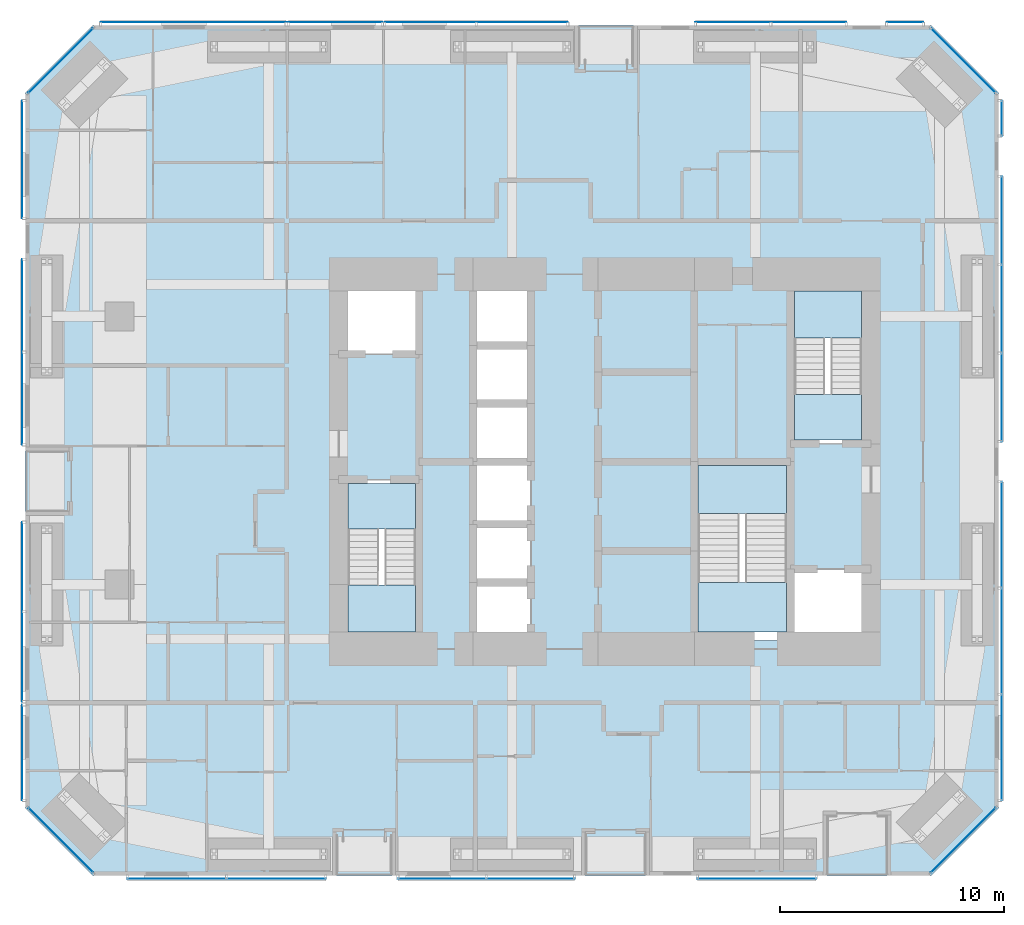
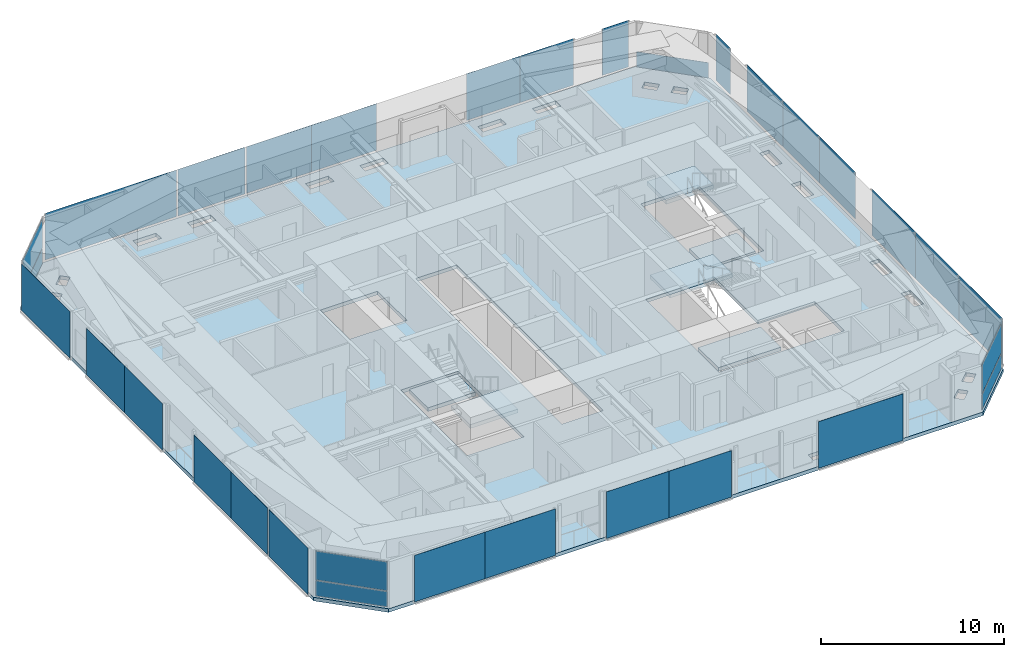
# One storey, part 15 of 23: 32 plates, 7 slabs, 22 elements without a shape of their own.
"""IFC4 building model written with IfcOpenShell, lengths in metres."""

from ifc_helpers import new_model, si_unit, direction, frame, origin, origin_2d, place, context, subcontext, project, spatial, polyline, rectangle, outline, extrude, material, layer, layer_set, type_object, element, aggregate, save


model = new_model("IFC4")

# Units and contexts
model_context = context("Model", 3, precision=1e-05, world=origin(), true_north=direction((0.0, 1.0)))
body_context = subcontext(model_context, "Body", "Model", "MODEL_VIEW")
ifc_project = project(units=[si_unit("LENGTHUNIT", "METRE"), si_unit("AREAUNIT", "SQUARE_METRE"), si_unit("VOLUMEUNIT", "CUBIC_METRE"), si_unit("PLANEANGLEUNIT", "RADIAN"), si_unit("MASSUNIT", "GRAM", prefix="KILO")], contexts=[model_context])

# Site, building, storey
site_placement = place(None, origin())
site = spatial("IfcSite", under=ifc_project, at=site_placement, CompositionType="ELEMENT")
building_placement = place(site_placement, origin())
building = spatial("IfcBuilding", under=site, at=building_placement, Name="Jalousie Tower", CompositionType="ELEMENT")
storey_placement = place(building_placement, frame((0.0, 0.0, 104.85009765625)))
storey = spatial("IfcBuildingStorey", under=building, at=storey_placement, Name="L28", CompositionType="ELEMENT", Elevation=104.85009765625)

# Curtain wall, plates
ifc_material_1 = material(Name="Aluminium curtain wall", Category="aluminium")
curtain_wall_type_1 = type_object("IfcCurtainWallType", Name="CORNER WINDOW WALL", PredefinedType="USERDEFINED", material=ifc_material_1)
curtain_wall_1_placement = place(storey_placement, origin())
curtain_wall_1 = element("IfcCurtainWall", 1, at=curtain_wall_1_placement, inside=storey, type_object=curtain_wall_type_1, Name="Corner Window Wall L28 2", ObjectType="CORNER WINDOW WALL", PredefinedType="USERDEFINED")
ifc_material_2 = material(Name="Laminated impact-rated spandrel glass", Category="glass")
ifc_layer_1 = layer(ifc_material_2, 0.028076171875)
ifc_layer_set_1 = layer_set([ifc_layer_1], Name="Laminated impact-rated spandrel glass")
plate_type_1 = type_object("IfcPlateType", Name="CORNER WINDOW WALL PANEL", PredefinedType="CURTAIN_PANEL", material=ifc_layer_set_1)
plate_1_placement = place(storey_placement, frame((47.9306640625, 1.5693359375, 0.06005859375), z_axis=(0.0, 0.0, 1.0), x_axis=(0.707106781187, 0.707106781187, 0.0)))
plate_1 = element("IfcPlate", 2, at=plate_1_placement, type_object=plate_type_1, Name="CW-C panel 1.1", PredefinedType="CURTAIN_PANEL", context=body_context, shape_type="SweptSolid", body=[
    extrude(rectangle(XDim=4.071533203125, YDim=0.028076171875, at=origin_2d()), origin(), (0.0, 0.0, 1.0), 1.010009765625),
])
plate_2_placement = place(storey_placement, frame((47.9306640625, 1.5693359375, 1.1298828125), z_axis=(0.0, 0.0, 1.0), x_axis=(0.707106781187, 0.707106781187, 0.0)))
plate_2 = element("IfcPlate", 3, at=plate_2_placement, type_object=plate_type_1, Name="CW-C panel 1.2", PredefinedType="CURTAIN_PANEL", context=body_context, shape_type="SweptSolid", body=[
    extrude(rectangle(XDim=4.071533203125, YDim=0.028076171875, at=origin_2d()), origin(), (0.0, 0.0, 1.0), 1.919921875),
])
aggregate(curtain_wall_1, [plate_1, plate_2])

# Curtain wall, plate
curtain_wall_2_placement = place(storey_placement, origin())
curtain_wall_2 = element("IfcCurtainWall", 4, at=curtain_wall_2_placement, inside=storey, type_object=curtain_wall_type_1, Name="Corner Window Wall L28 4", ObjectType="CORNER WINDOW WALL", PredefinedType="USERDEFINED")
plate_3_placement = place(storey_placement, frame((47.9306640625, 36.4306640625, 0.06005859375), z_axis=(0.0, 0.0, 1.0), x_axis=(-0.707106781187, 0.707106781187, 0.0)))
plate_3 = element("IfcPlate", 5, at=plate_3_placement, type_object=plate_type_1, Name="CW-C panel 1.1", PredefinedType="CURTAIN_PANEL", context=body_context, shape_type="SweptSolid", body=[
    extrude(rectangle(XDim=4.071533203125, YDim=0.028076171875, at=origin_2d()), origin(), (0.0, 0.0, 1.0), 1.010009765625),
])
aggregate(curtain_wall_2, [plate_3])

# Curtain wall, plates
curtain_wall_3_placement = place(storey_placement, origin())
curtain_wall_3 = element("IfcCurtainWall", 6, at=curtain_wall_3_placement, inside=storey, type_object=curtain_wall_type_1, Name="Corner Window Wall L28 6", ObjectType="CORNER WINDOW WALL", PredefinedType="USERDEFINED")
plate_4_placement = place(storey_placement, frame((7.5693359375, 36.4306640625, 0.06005859375), z_axis=(0.0, 0.0, 1.0), x_axis=(-0.707106781187, -0.707106781187, 0.0)))
plate_4 = element("IfcPlate", 7, at=plate_4_placement, type_object=plate_type_1, Name="CW-C panel 1.1", PredefinedType="CURTAIN_PANEL", context=body_context, shape_type="SweptSolid", body=[
    extrude(rectangle(XDim=4.071533203125, YDim=0.028076171875, at=origin_2d()), origin(), (0.0, 0.0, 1.0), 1.010009765625),
])
plate_5_placement = place(storey_placement, frame((7.5693359375, 36.4306640625, 1.1298828125), z_axis=(0.0, 0.0, 1.0), x_axis=(-0.707106781187, -0.707106781187, 0.0)))
plate_5 = element("IfcPlate", 8, at=plate_5_placement, type_object=plate_type_1, Name="CW-C panel 1.2", PredefinedType="CURTAIN_PANEL", context=body_context, shape_type="SweptSolid", body=[
    extrude(rectangle(XDim=4.071533203125, YDim=0.028076171875, at=origin_2d()), origin(), (0.0, 0.0, 1.0), 1.919921875),
])
aggregate(curtain_wall_3, [plate_4, plate_5])

curtain_wall_4_placement = place(storey_placement, origin())
curtain_wall_4 = element("IfcCurtainWall", 9, at=curtain_wall_4_placement, inside=storey, type_object=curtain_wall_type_1, Name="Corner Window Wall L28 8", ObjectType="CORNER WINDOW WALL", PredefinedType="USERDEFINED")
plate_6_placement = place(storey_placement, frame((7.5693359375, 1.5693359375, 0.06005859375), z_axis=(0.0, 0.0, 1.0), x_axis=(0.707106781187, -0.707106781187, 0.0)))
plate_6 = element("IfcPlate", 10, at=plate_6_placement, type_object=plate_type_1, Name="CW-C panel 1.1", PredefinedType="CURTAIN_PANEL", context=body_context, shape_type="SweptSolid", body=[
    extrude(rectangle(XDim=4.071533203125, YDim=0.028076171875, at=origin_2d()), origin(), (0.0, 0.0, 1.0), 1.010009765625),
])
plate_7_placement = place(storey_placement, frame((7.5693359375, 1.5693359375, 1.1298828125), z_axis=(0.0, 0.0, 1.0), x_axis=(0.707106781187, -0.707106781187, 0.0)))
plate_7 = element("IfcPlate", 11, at=plate_7_placement, type_object=plate_type_1, Name="CW-C panel 1.2", PredefinedType="CURTAIN_PANEL", context=body_context, shape_type="SweptSolid", body=[
    extrude(rectangle(XDim=4.071533203125, YDim=0.028076171875, at=origin_2d()), origin(), (0.0, 0.0, 1.0), 1.919921875),
])
aggregate(curtain_wall_4, [plate_6, plate_7])

# Slab
ifc_material_3 = material(Name="Concrete f'c 40 MPa", Category="concrete")
ifc_layer_2 = layer(ifc_material_3, 0.239990234375)
ifc_layer_set_2 = layer_set([ifc_layer_2], Name="Concrete f'c 40 MPa")
slab_type_1 = type_object("IfcSlabType", Name="FLOOR SLAB 240", PredefinedType="FLOOR", material=ifc_layer_set_2)
slab_1_placement = place(storey_placement, frame((0.0, 0.0, -0.239990234375)))
element("IfcSlab", 12, at=slab_1_placement, inside=storey, type_object=slab_type_1, Name="L28 floor slab", PredefinedType="FLOOR", context=body_context, shape_type="SweptSolid", body=[
    extrude(outline(polyline([(9.0, 0.0), (46.5, 0.0), (49.5, 3.0), (49.5, 35.0), (46.5, 38.0), (9.0, 38.0), (6.0, 35.0), (6.0, 3.0), (9.0, 0.0)]), holes=[polyline([(14.425048828125, 1.236083984375), (14.484619140625, 1.236083984375), (15.888916015625, 1.236083984375), (15.888916015625, 0.663818359375), (14.484619140625, 0.663818359375), (14.425048828125, 0.663818359375), (14.425048828125, 1.236083984375)]), polyline([(26.763916015625, 1.236083984375), (26.763916015625, 0.663818359375), (25.359619140625, 0.663818359375), (25.300048828125, 0.663818359375), (25.300048828125, 1.236083984375), (25.359619140625, 1.236083984375), (26.763916015625, 1.236083984375)]), polyline([(17.861083984375, 1.236083984375), (19.265380859375, 1.236083984375), (19.324951171875, 1.236083984375), (19.324951171875, 0.663818359375), (19.265380859375, 0.663818359375), (17.861083984375, 0.663818359375), (17.861083984375, 1.236083984375)]), polyline([(9.220947265625, 1.636962890625), (8.71435546875, 2.1435546875), (9.119140625, 2.54833984375), (9.625732421875, 2.041748046875), (9.717529296875, 1.949951171875), (9.717529296875, 1.949951171875), (9.717529296875, 1.949951171875), (9.515380859375, 1.74755859375), (9.31298828125, 1.545166015625), (9.220947265625, 1.636962890625), (9.220947265625, 1.636962890625)]), polyline([(7.545166015625, 3.31298828125), (7.949951171875, 3.717529296875), (8.54833984375, 3.119140625), (8.1435546875, 2.71435546875), (7.545166015625, 3.31298828125)]), polyline([(7.236083984375, 10.550048828125), (6.663818359375, 10.550048828125), (6.663818359375, 10.609619140625), (6.663818359375, 12.013916015625), (7.236083984375, 12.013916015625), (7.236083984375, 10.609619140625), (7.236083984375, 10.550048828125)]), polyline([(26.0, 10.5), (26.0, 26.5), (28.60009765625, 26.5), (28.60009765625, 10.5), (26.0, 10.5)]), polyline([(20.0, 10.5), (23.60009765625, 10.5), (23.60009765625, 17.699951171875), (20.0, 17.699951171875), (20.0, 10.5)]), polyline([(7.236083984375, 15.390380859375), (7.236083984375, 13.986083984375), (6.663818359375, 13.986083984375), (6.663818359375, 15.390380859375), (6.663818359375, 15.449951171875), (7.236083984375, 15.449951171875), (7.236083984375, 15.390380859375)]), polyline([(6.663818359375, 24.013916015625), (7.236083984375, 24.013916015625), (7.236083984375, 22.609619140625), (7.236083984375, 22.550048828125), (6.663818359375, 22.550048828125), (6.663818359375, 22.609619140625), (6.663818359375, 24.013916015625)]), polyline([(20.0, 23.300048828125), (23.60009765625, 23.300048828125), (23.60009765625, 26.5), (20.0, 26.5), (20.0, 23.300048828125)]), polyline([(7.236083984375, 25.986083984375), (6.663818359375, 25.986083984375), (6.663818359375, 27.390380859375), (6.663818359375, 27.449951171875), (7.236083984375, 27.449951171875), (7.236083984375, 27.390380859375), (7.236083984375, 25.986083984375)]), polyline([(7.949951171875, 34.282470703125), (7.74755859375, 34.484619140625), (7.545166015625, 34.68701171875), (7.636962890625, 34.779052734375), (7.636962890625, 34.779052734375), (8.1435546875, 35.28564453125), (8.54833984375, 34.880859375), (8.037841796875, 34.370361328125), (7.949951171875, 34.282470703125), (7.949951171875, 34.282470703125), (7.949951171875, 34.282470703125)]), polyline([(9.717529296875, 36.050048828125), (9.625732421875, 35.958251953125), (9.625732421875, 35.958251953125), (9.119140625, 35.45166015625), (8.71435546875, 35.8564453125), (9.239013671875, 36.380859375), (9.31298828125, 36.454833984375), (9.31298828125, 36.454833984375), (9.515380859375, 36.25244140625), (9.717529296875, 36.050048828125)]), polyline([(26.763916015625, 36.763916015625), (25.359619140625, 36.763916015625), (25.300048828125, 36.763916015625), (25.300048828125, 37.336181640625), (25.359619140625, 37.336181640625), (26.763916015625, 37.336181640625), (26.763916015625, 36.763916015625)]), polyline([(19.324951171875, 37.336181640625), (19.324951171875, 36.763916015625), (19.265380859375, 36.763916015625), (17.861083984375, 36.763916015625), (17.861083984375, 37.336181640625), (19.265380859375, 37.336181640625), (19.324951171875, 37.336181640625)]), polyline([(14.425048828125, 36.763916015625), (14.425048828125, 37.336181640625), (14.484619140625, 37.336181640625), (15.888916015625, 37.336181640625), (15.888916015625, 36.763916015625), (14.484619140625, 36.763916015625), (14.425048828125, 36.763916015625)]), polyline([(28.736083984375, 0.663818359375), (28.736083984375, 1.236083984375), (30.140380859375, 1.236083984375), (30.199951171875, 1.236083984375), (30.199951171875, 0.663818359375), (30.140380859375, 0.663818359375), (28.736083984375, 0.663818359375)]), polyline([(36.234619140625, 0.663818359375), (36.175048828125, 0.663818359375), (36.175048828125, 1.236083984375), (36.234619140625, 1.236083984375), (37.638916015625, 1.236083984375), (37.638916015625, 0.663818359375), (36.234619140625, 0.663818359375)]), polyline([(41.015380859375, 1.236083984375), (41.074951171875, 1.236083984375), (41.074951171875, 0.663818359375), (41.015380859375, 0.663818359375), (39.611083984375, 0.663818359375), (39.611083984375, 1.236083984375), (41.015380859375, 1.236083984375)]), polyline([(46.279052734375, 1.636962890625), (46.18701171875, 1.545166015625), (45.984619140625, 1.74755859375), (45.782470703125, 1.949951171875), (45.782470703125, 1.949951171875), (45.782470703125, 1.949951171875), (45.874267578125, 2.041748046875), (46.380859375, 2.54833984375), (46.78564453125, 2.1435546875), (46.279052734375, 1.636962890625), (46.279052734375, 1.636962890625)]), polyline([(47.458251953125, 3.625732421875), (47.458251953125, 3.625732421875), (47.550048828125, 3.717529296875), (47.75244140625, 3.515380859375), (47.954833984375, 3.31298828125), (47.954833984375, 3.31298828125), (47.954833984375, 3.31298828125), (47.863037109375, 3.220947265625), (47.3564453125, 2.71435546875), (46.95166015625, 3.119140625), (47.458251953125, 3.625732421875)]), polyline([(48.836181640625, 10.550048828125), (48.263916015625, 10.550048828125), (48.263916015625, 10.609619140625), (48.263916015625, 12.013916015625), (48.836181640625, 12.013916015625), (48.836181640625, 10.609619140625), (48.836181640625, 10.550048828125)]), polyline([(35.89990234375, 18.5), (40.199951171875, 18.5), (40.199951171875, 13.699951171875), (43.800048828125, 13.699951171875), (43.800048828125, 10.5), (35.89990234375, 10.5), (35.89990234375, 18.5)]), polyline([(48.836181640625, 13.986083984375), (48.263916015625, 13.986083984375), (48.263916015625, 15.390380859375), (48.263916015625, 15.449951171875), (48.836181640625, 15.449951171875), (48.836181640625, 15.390380859375), (48.836181640625, 13.986083984375)]), polyline([(40.199951171875, 19.300048828125), (43.800048828125, 19.300048828125), (43.800048828125, 26.5), (40.199951171875, 26.5), (40.199951171875, 19.300048828125)]), polyline([(48.836181640625, 22.550048828125), (48.263916015625, 22.550048828125), (48.263916015625, 22.609619140625), (48.263916015625, 24.013916015625), (48.836181640625, 24.013916015625), (48.836181640625, 22.609619140625), (48.836181640625, 22.550048828125)]), polyline([(48.836181640625, 27.390380859375), (48.836181640625, 25.986083984375), (48.263916015625, 25.986083984375), (48.263916015625, 27.390380859375), (48.263916015625, 27.449951171875), (48.836181640625, 27.449951171875), (48.836181640625, 27.390380859375)]), polyline([(47.3564453125, 35.28564453125), (47.954833984375, 34.68701171875), (47.550048828125, 34.282470703125), (47.458251953125, 34.374267578125), (46.95166015625, 34.880859375), (47.3564453125, 35.28564453125)]), polyline([(46.380859375, 35.45166015625), (45.874267578125, 35.958251953125), (45.782470703125, 36.050048828125), (46.18701171875, 36.454833984375), (46.78564453125, 35.8564453125), (46.380859375, 35.45166015625)]), polyline([(41.015380859375, 37.336181640625), (41.074951171875, 37.336181640625), (41.074951171875, 36.763916015625), (41.015380859375, 36.763916015625), (39.611083984375, 36.763916015625), (39.611083984375, 37.336181640625), (41.015380859375, 37.336181640625)]), polyline([(37.638916015625, 37.336181640625), (37.638916015625, 36.763916015625), (36.234619140625, 36.763916015625), (36.175048828125, 36.763916015625), (36.175048828125, 37.336181640625), (36.234619140625, 37.336181640625), (37.638916015625, 37.336181640625)]), polyline([(28.736083984375, 37.336181640625), (30.140380859375, 37.336181640625), (30.199951171875, 37.336181640625), (30.199951171875, 36.763916015625), (30.140380859375, 36.763916015625), (28.736083984375, 36.763916015625), (28.736083984375, 37.336181640625)])]), origin(), (0.0, 0.0, 1.0), 0.239990234375),
])

# Curtain wall, plates
ifc_material_4 = material(Name="Perforated aluminium sheet", Category="aluminium")
curtain_wall_type_2 = type_object("IfcCurtainWallType", Name="SOLAR SCREEN SS-1", PredefinedType="USERDEFINED", material=ifc_material_4)
curtain_wall_5_placement = place(storey_placement, origin())
curtain_wall_5 = element("IfcCurtainWall", 13, at=curtain_wall_5_placement, inside=storey, type_object=curtain_wall_type_2, Name="Solar screen L28", ObjectType="SOLAR SCREEN SS-1", PredefinedType="USERDEFINED")
ifc_material_5 = material(Name="Perforated aluminium sheet", Category="aluminium")
ifc_layer_3 = layer(ifc_material_5, 0.006103515625)
ifc_layer_set_3 = layer_set([ifc_layer_3], Name="Perforated aluminium sheet")
plate_type_2 = type_object("IfcPlateType", Name="SOLAR SCREEN SS-1 PANEL", PredefinedType="CURTAIN_PANEL", material=ifc_layer_set_3)
plate_8_placement = place(storey_placement, frame((12.768798828125, -0.150390625, 0.0), z_axis=(0.0, 0.0, 1.0), x_axis=(1.0, 0.0, 0.0)))
plate_8 = element("IfcPlate", 14, at=plate_8_placement, type_object=plate_type_2, Name="SS1 perforated panel 1", PredefinedType="CURTAIN_PANEL", context=body_context, shape_type="SweptSolid", body=[
    extrude(rectangle(XDim=4.4375, YDim=0.006103515625, at=origin_2d()), origin(), (0.0, 0.0, 1.0), 3.110107421875),
])
plate_9_placement = place(storey_placement, frame((17.206298828125, -0.150390625, 0.0), z_axis=(0.0, 0.0, 1.0), x_axis=(1.0, 0.0, 0.0)))
plate_9 = element("IfcPlate", 15, at=plate_9_placement, type_object=plate_type_2, Name="SS1 perforated panel 2", PredefinedType="CURTAIN_PANEL", context=body_context, shape_type="SweptSolid", body=[
    extrude(rectangle(XDim=4.4375, YDim=0.006103515625, at=origin_2d()), origin(), (0.0, 0.0, 1.0), 3.110107421875),
])
aggregate(curtain_wall_5, [plate_8, plate_9])

curtain_wall_6_placement = place(storey_placement, origin())
curtain_wall_6 = element("IfcCurtainWall", 16, at=curtain_wall_6_placement, inside=storey, type_object=curtain_wall_type_2, Name="Solar screen L28", ObjectType="SOLAR SCREEN SS-1", PredefinedType="USERDEFINED")
plate_10_placement = place(storey_placement, frame((24.625, -0.150390625, 0.0), z_axis=(0.0, 0.0, 1.0), x_axis=(1.0, 0.0, 0.0)))
plate_10 = element("IfcPlate", 17, at=plate_10_placement, type_object=plate_type_2, Name="SS1 perforated panel 1", PredefinedType="CURTAIN_PANEL", context=body_context, shape_type="SweptSolid", body=[
    extrude(rectangle(XDim=3.949951171875, YDim=0.006103515625, at=origin_2d()), origin(), (0.0, 0.0, 1.0), 3.110107421875),
])
plate_11_placement = place(storey_placement, frame((28.574951171875, -0.150390625, 0.0), z_axis=(0.0, 0.0, 1.0), x_axis=(1.0, 0.0, 0.0)))
plate_11 = element("IfcPlate", 18, at=plate_11_placement, type_object=plate_type_2, Name="SS1 perforated panel 2", PredefinedType="CURTAIN_PANEL", context=body_context, shape_type="SweptSolid", body=[
    extrude(rectangle(XDim=3.949951171875, YDim=0.006103515625, at=origin_2d()), origin(), (0.0, 0.0, 1.0), 3.110107421875),
])
aggregate(curtain_wall_6, [plate_10, plate_11])

# Curtain wall, plate
curtain_wall_7_placement = place(storey_placement, origin())
curtain_wall_7 = element("IfcCurtainWall", 19, at=curtain_wall_7_placement, inside=storey, type_object=curtain_wall_type_2, Name="Solar screen L28", ObjectType="SOLAR SCREEN SS-1", PredefinedType="USERDEFINED")
plate_12_placement = place(storey_placement, frame((38.695068359375, -0.150390625, 0.0), z_axis=(0.0, 0.0, 1.0), x_axis=(1.0, 0.0, 0.0)))
plate_12 = element("IfcPlate", 20, at=plate_12_placement, type_object=plate_type_2, Name="SS1 perforated panel 1", PredefinedType="CURTAIN_PANEL", context=body_context, shape_type="SweptSolid", body=[
    extrude(rectangle(XDim=5.31005859375, YDim=0.006103515625, at=origin_2d()), origin(), (0.0, 0.0, 1.0), 3.110107421875),
])
aggregate(curtain_wall_7, [plate_12])

# Curtain wall, plates
curtain_wall_8_placement = place(storey_placement, origin())
curtain_wall_8 = element("IfcCurtainWall", 21, at=curtain_wall_8_placement, inside=storey, type_object=curtain_wall_type_2, Name="Solar screen L28", ObjectType="SOLAR SCREEN SS-1", PredefinedType="USERDEFINED")
plate_13_placement = place(storey_placement, frame((49.650390625, 5.72607421875, 0.0), z_axis=(0.0, 0.0, 1.0), x_axis=(0.0, 1.0, 0.0)))
plate_13 = element("IfcPlate", 22, at=plate_13_placement, type_object=plate_type_2, Name="SS1 perforated panel 1", PredefinedType="CURTAIN_PANEL", context=body_context, shape_type="SweptSolid", body=[
    extrude(rectangle(XDim=4.74951171875, YDim=0.006103515625, at=origin_2d()), origin(), (0.0, 0.0, 1.0), 3.110107421875),
])
plate_14_placement = place(storey_placement, frame((49.650390625, 10.4755859375, 0.0), z_axis=(0.0, 0.0, 1.0), x_axis=(0.0, 1.0, 0.0)))
plate_14 = element("IfcPlate", 23, at=plate_14_placement, type_object=plate_type_2, Name="SS1 perforated panel 2", PredefinedType="CURTAIN_PANEL", context=body_context, shape_type="SweptSolid", body=[
    extrude(rectangle(XDim=4.74951171875, YDim=0.006103515625, at=origin_2d()), origin(), (0.0, 0.0, 1.0), 3.110107421875),
])
plate_15_placement = place(storey_placement, frame((49.650390625, 15.22509765625, 0.0), z_axis=(0.0, 0.0, 1.0), x_axis=(0.0, 1.0, 0.0)))
plate_15 = element("IfcPlate", 24, at=plate_15_placement, type_object=plate_type_2, Name="SS1 perforated panel 3", PredefinedType="CURTAIN_PANEL", context=body_context, shape_type="SweptSolid", body=[
    extrude(rectangle(XDim=4.74951171875, YDim=0.006103515625, at=origin_2d()), origin(), (0.0, 0.0, 1.0), 3.110107421875),
])
aggregate(curtain_wall_8, [plate_13, plate_14, plate_15])

curtain_wall_9_placement = place(storey_placement, origin())
curtain_wall_9 = element("IfcCurtainWall", 25, at=curtain_wall_9_placement, inside=storey, type_object=curtain_wall_type_2, Name="Solar screen L28", ObjectType="SOLAR SCREEN SS-1", PredefinedType="USERDEFINED")
plate_16_placement = place(storey_placement, frame((49.650390625, 21.376953125, 0.0), z_axis=(0.0, 0.0, 1.0), x_axis=(0.0, 1.0, 0.0)))
plate_16 = element("IfcPlate", 26, at=plate_16_placement, type_object=plate_type_2, Name="SS1 perforated panel 1", PredefinedType="CURTAIN_PANEL", context=body_context, shape_type="SweptSolid", body=[
    extrude(rectangle(XDim=3.9541015625, YDim=0.006103515625, at=origin_2d()), origin(), (0.0, 0.0, 1.0), 3.110107421875),
])
plate_17_placement = place(storey_placement, frame((49.650390625, 25.3310546875, 0.0), z_axis=(0.0, 0.0, 1.0), x_axis=(0.0, 1.0, 0.0)))
plate_17 = element("IfcPlate", 27, at=plate_17_placement, type_object=plate_type_2, Name="SS1 perforated panel 2", PredefinedType="CURTAIN_PANEL", context=body_context, shape_type="SweptSolid", body=[
    extrude(rectangle(XDim=3.9541015625, YDim=0.006103515625, at=origin_2d()), origin(), (0.0, 0.0, 1.0), 3.110107421875),
])
plate_18_placement = place(storey_placement, frame((49.650390625, 29.284912109375, 0.0), z_axis=(0.0, 0.0, 1.0), x_axis=(0.0, 1.0, 0.0)))
plate_18 = element("IfcPlate", 28, at=plate_18_placement, type_object=plate_type_2, Name="SS1 perforated panel 3", PredefinedType="CURTAIN_PANEL", context=body_context, shape_type="SweptSolid", body=[
    extrude(rectangle(XDim=3.9541015625, YDim=0.006103515625, at=origin_2d()), origin(), (0.0, 0.0, 1.0), 3.110107421875),
])
aggregate(curtain_wall_9, [plate_16, plate_17, plate_18])

# Curtain wall, plate
curtain_wall_10_placement = place(storey_placement, origin())
curtain_wall_10 = element("IfcCurtainWall", 29, at=curtain_wall_10_placement, inside=storey, type_object=curtain_wall_type_2, Name="Solar screen L28", ObjectType="SOLAR SCREEN SS-1", PredefinedType="USERDEFINED")
plate_19_placement = place(storey_placement, frame((49.650390625, 33.855224609375, 0.0), z_axis=(0.0, 0.0, 1.0), x_axis=(0.0, 1.0, 0.0)))
plate_19 = element("IfcPlate", 30, at=plate_19_placement, type_object=plate_type_2, Name="SS1 perforated panel 1", PredefinedType="CURTAIN_PANEL", context=body_context, shape_type="SweptSolid", body=[
    extrude(rectangle(XDim=1.5869140625, YDim=0.006103515625, at=origin_2d()), origin(), (0.0, 0.0, 1.0), 3.110107421875),
])
aggregate(curtain_wall_10, [plate_19])

curtain_wall_11_placement = place(storey_placement, origin())
curtain_wall_11 = element("IfcCurtainWall", 31, at=curtain_wall_11_placement, inside=storey, type_object=curtain_wall_type_2, Name="Solar screen L28", ObjectType="SOLAR SCREEN SS-1", PredefinedType="USERDEFINED")
plate_20_placement = place(storey_placement, frame((45.323974609375, 38.150390625, 0.0), z_axis=(0.0, 0.0, 1.0), x_axis=(-1.0, 0.0, 0.0)))
plate_20 = element("IfcPlate", 32, at=plate_20_placement, type_object=plate_type_2, Name="SS1 perforated panel 1", PredefinedType="CURTAIN_PANEL", context=body_context, shape_type="SweptSolid", body=[
    extrude(rectangle(XDim=1.6494140625, YDim=0.006103515625, at=origin_2d()), origin(), (0.0, 0.0, 1.0), 3.110107421875),
])
aggregate(curtain_wall_11, [plate_20])

# Curtain wall, plates
curtain_wall_12_placement = place(storey_placement, origin())
curtain_wall_12 = element("IfcCurtainWall", 33, at=curtain_wall_12_placement, inside=storey, type_object=curtain_wall_type_2, Name="Solar screen L28", ObjectType="SOLAR SCREEN SS-1", PredefinedType="USERDEFINED")
plate_21_placement = place(storey_placement, frame((41.01220703125, 38.150390625, 0.0), z_axis=(0.0, 0.0, 1.0), x_axis=(-1.0, 0.0, 0.0)))
plate_21 = element("IfcPlate", 34, at=plate_21_placement, type_object=plate_type_2, Name="SS1 perforated panel 1", PredefinedType="CURTAIN_PANEL", context=body_context, shape_type="SweptSolid", body=[
    extrude(rectangle(XDim=3.37451171875, YDim=0.006103515625, at=origin_2d()), origin(), (0.0, 0.0, 1.0), 3.110107421875),
])
plate_22_placement = place(storey_placement, frame((37.6376953125, 38.150390625, 0.0), z_axis=(0.0, 0.0, 1.0), x_axis=(-1.0, 0.0, 0.0)))
plate_22 = element("IfcPlate", 35, at=plate_22_placement, type_object=plate_type_2, Name="SS1 perforated panel 2", PredefinedType="CURTAIN_PANEL", context=body_context, shape_type="SweptSolid", body=[
    extrude(rectangle(XDim=3.37451171875, YDim=0.006103515625, at=origin_2d()), origin(), (0.0, 0.0, 1.0), 3.110107421875),
])
aggregate(curtain_wall_12, [plate_21, plate_22])

curtain_wall_13_placement = place(storey_placement, origin())
curtain_wall_13 = element("IfcCurtainWall", 36, at=curtain_wall_13_placement, inside=storey, type_object=curtain_wall_type_2, Name="Solar screen L28", ObjectType="SOLAR SCREEN SS-1", PredefinedType="USERDEFINED")
plate_23_placement = place(storey_placement, frame((28.200439453125, 38.150390625, 0.0), z_axis=(0.0, 0.0, 1.0), x_axis=(-1.0, 0.0, 0.0)))
plate_23 = element("IfcPlate", 37, at=plate_23_placement, type_object=plate_type_2, Name="SS1 perforated panel 1", PredefinedType="CURTAIN_PANEL", context=body_context, shape_type="SweptSolid", body=[
    extrude(rectangle(XDim=4.100341796875, YDim=0.006103515625, at=origin_2d()), origin(), (0.0, 0.0, 1.0), 3.110107421875),
])
plate_24_placement = place(storey_placement, frame((24.10009765625, 38.150390625, 0.0), z_axis=(0.0, 0.0, 1.0), x_axis=(-1.0, 0.0, 0.0)))
plate_24 = element("IfcPlate", 38, at=plate_24_placement, type_object=plate_type_2, Name="SS1 perforated panel 2", PredefinedType="CURTAIN_PANEL", context=body_context, shape_type="SweptSolid", body=[
    extrude(rectangle(XDim=4.100341796875, YDim=0.006103515625, at=origin_2d()), origin(), (0.0, 0.0, 1.0), 3.110107421875),
])
aggregate(curtain_wall_13, [plate_23, plate_24])

# Curtain wall, plate
curtain_wall_14_placement = place(storey_placement, origin())
curtain_wall_14 = element("IfcCurtainWall", 39, at=curtain_wall_14_placement, inside=storey, type_object=curtain_wall_type_2, Name="Solar screen L28", ObjectType="SOLAR SCREEN SS-1", PredefinedType="USERDEFINED")
plate_25_placement = place(storey_placement, frame((19.85009765625, 38.150390625, 0.0), z_axis=(0.0, 0.0, 1.0), x_axis=(-1.0, 0.0, 0.0)))
plate_25 = element("IfcPlate", 40, at=plate_25_placement, type_object=plate_type_2, Name="SS1 perforated panel 1", PredefinedType="CURTAIN_PANEL", context=body_context, shape_type="SweptSolid", body=[
    extrude(rectangle(XDim=4.199951171875, YDim=0.006103515625, at=origin_2d()), origin(), (0.0, 0.0, 1.0), 3.110107421875),
])
aggregate(curtain_wall_14, [plate_25])

curtain_wall_15_placement = place(storey_placement, origin())
curtain_wall_15 = element("IfcCurtainWall", 41, at=curtain_wall_15_placement, inside=storey, type_object=curtain_wall_type_2, Name="Solar screen L28", ObjectType="SOLAR SCREEN SS-1", PredefinedType="USERDEFINED")
plate_26_placement = place(storey_placement, frame((13.500732421875, 38.150390625, 0.0), z_axis=(0.0, 0.0, 1.0), x_axis=(-1.0, 0.0, 0.0)))
plate_26 = element("IfcPlate", 42, at=plate_26_placement, type_object=plate_type_2, Name="SS1 perforated panel 1", PredefinedType="CURTAIN_PANEL", context=body_context, shape_type="SweptSolid", body=[
    extrude(rectangle(XDim=8.298583984375, YDim=0.006103515625, at=origin_2d()), origin(), (0.0, 0.0, 1.0), 3.110107421875),
])
aggregate(curtain_wall_15, [plate_26])

curtain_wall_16_placement = place(storey_placement, origin())
curtain_wall_16 = element("IfcCurtainWall", 43, at=curtain_wall_16_placement, inside=storey, type_object=curtain_wall_type_2, Name="Solar screen L28", ObjectType="SOLAR SCREEN SS-1", PredefinedType="USERDEFINED")
plate_27_placement = place(storey_placement, frame((5.849609375, 32.01171875, 0.0), z_axis=(0.0, 0.0, 1.0), x_axis=(0.0, -1.0, 0.0)))
plate_27 = element("IfcPlate", 44, at=plate_27_placement, type_object=plate_type_2, Name="SS1 perforated panel 1", PredefinedType="CURTAIN_PANEL", context=body_context, shape_type="SweptSolid", body=[
    extrude(rectangle(XDim=5.273681640625, YDim=0.006103515625, at=origin_2d()), origin(), (0.0, 0.0, 1.0), 3.110107421875),
])
aggregate(curtain_wall_16, [plate_27])

# Curtain wall, plates
curtain_wall_17_placement = place(storey_placement, origin())
curtain_wall_17 = element("IfcCurtainWall", 45, at=curtain_wall_17_placement, inside=storey, type_object=curtain_wall_type_2, Name="Solar screen L28", ObjectType="SOLAR SCREEN SS-1", PredefinedType="USERDEFINED")
plate_28_placement = place(storey_placement, frame((5.849609375, 25.47509765625, 0.0), z_axis=(0.0, 0.0, 1.0), x_axis=(0.0, -1.0, 0.0)))
plate_28 = element("IfcPlate", 46, at=plate_28_placement, type_object=plate_type_2, Name="SS1 perforated panel 1", PredefinedType="CURTAIN_PANEL", context=body_context, shape_type="SweptSolid", body=[
    extrude(rectangle(XDim=4.14990234375, YDim=0.006103515625, at=origin_2d()), origin(), (0.0, 0.0, 1.0), 3.110107421875),
])
plate_29_placement = place(storey_placement, frame((5.849609375, 21.324951171875, 0.0), z_axis=(0.0, 0.0, 1.0), x_axis=(0.0, -1.0, 0.0)))
plate_29 = element("IfcPlate", 47, at=plate_29_placement, type_object=plate_type_2, Name="SS1 perforated panel 2", PredefinedType="CURTAIN_PANEL", context=body_context, shape_type="SweptSolid", body=[
    extrude(rectangle(XDim=4.14990234375, YDim=0.006103515625, at=origin_2d()), origin(), (0.0, 0.0, 1.0), 3.110107421875),
])
aggregate(curtain_wall_17, [plate_28, plate_29])

curtain_wall_18_placement = place(storey_placement, origin())
curtain_wall_18 = element("IfcCurtainWall", 48, at=curtain_wall_18_placement, inside=storey, type_object=curtain_wall_type_2, Name="Solar screen L28", ObjectType="SOLAR SCREEN SS-1", PredefinedType="USERDEFINED")
plate_30_placement = place(storey_placement, frame((5.849609375, 13.793701171875, 0.0), z_axis=(0.0, 0.0, 1.0), x_axis=(0.0, -1.0, 0.0)))
plate_30 = element("IfcPlate", 49, at=plate_30_placement, type_object=plate_type_2, Name="SS1 perforated panel 1", PredefinedType="CURTAIN_PANEL", context=body_context, shape_type="SweptSolid", body=[
    extrude(rectangle(XDim=4.012451171875, YDim=0.006103515625, at=origin_2d()), origin(), (0.0, 0.0, 1.0), 3.110107421875),
])
plate_31_placement = place(storey_placement, frame((5.849609375, 9.78125, 0.0), z_axis=(0.0, 0.0, 1.0), x_axis=(0.0, -1.0, 0.0)))
plate_31 = element("IfcPlate", 50, at=plate_31_placement, type_object=plate_type_2, Name="SS1 perforated panel 2", PredefinedType="CURTAIN_PANEL", context=body_context, shape_type="SweptSolid", body=[
    extrude(rectangle(XDim=4.012451171875, YDim=0.006103515625, at=origin_2d()), origin(), (0.0, 0.0, 1.0), 3.110107421875),
])
aggregate(curtain_wall_18, [plate_30, plate_31])

# Curtain wall, plate
curtain_wall_19_placement = place(storey_placement, origin())
curtain_wall_19 = element("IfcCurtainWall", 51, at=curtain_wall_19_placement, inside=storey, type_object=curtain_wall_type_2, Name="Solar screen L28", ObjectType="SOLAR SCREEN SS-1", PredefinedType="USERDEFINED")
plate_32_placement = place(storey_placement, frame((5.849609375, 5.48828125, 0.0), z_axis=(0.0, 0.0, 1.0), x_axis=(0.0, -1.0, 0.0)))
plate_32 = element("IfcPlate", 52, at=plate_32_placement, type_object=plate_type_2, Name="SS1 perforated panel 1", PredefinedType="CURTAIN_PANEL", context=body_context, shape_type="SweptSolid", body=[
    extrude(rectangle(XDim=4.273681640625, YDim=0.006103515625, at=origin_2d()), origin(), (0.0, 0.0, 1.0), 3.110107421875),
])
aggregate(curtain_wall_19, [plate_32])

# Stair, slabs
ifc_material_6 = material(Name="Concrete f'c 40 MPa", Category="concrete")
stair_type = type_object("IfcStairType", Name="EXIT STAIR", PredefinedType="HALF_TURN_STAIR", material=ifc_material_6)
stair_1_placement = place(storey_placement, origin())
stair_1 = element("IfcStair", 53, at=stair_1_placement, inside=storey, type_object=stair_type, Name="Exit stair A L28", PredefinedType="HALF_TURN_STAIR")
ifc_material_7 = material(Name="Concrete f'c 40 MPa", Category="concrete")
ifc_layer_4 = layer(ifc_material_7, 0.25)
ifc_layer_set_4 = layer_set([ifc_layer_4], Name="Concrete f'c 40 MPa")
slab_type_2 = type_object("IfcSlabType", Name="STAIR LANDING 250", PredefinedType="LANDING", material=ifc_layer_set_4)
slab_2_placement = place(storey_placement, frame((0.0, 0.0, -0.25)))
slab_2 = element("IfcSlab", 54, at=slab_2_placement, type_object=slab_type_2, Name="ST-A landing 1", PredefinedType="LANDING", context=body_context, shape_type="SweptSolid", body=[
    extrude(outline(polyline([(20.425048828125, 15.49755859375), (23.425048828125, 15.49755859375), (23.425048828125, 17.52490234375), (20.425048828125, 17.52490234375), (20.425048828125, 15.49755859375)])), origin(), (0.0, 0.0, 1.0), 0.25),
])
slab_3_placement = place(storey_placement, frame((0.0, 0.0, 1.4248046875)))
slab_3 = element("IfcSlab", 55, at=slab_3_placement, type_object=slab_type_2, Name="ST-A landing 2", PredefinedType="LANDING", context=body_context, shape_type="SweptSolid", body=[
    extrude(outline(polyline([(20.425048828125, 10.875), (23.425048828125, 10.875), (23.425048828125, 12.9775390625), (20.425048828125, 12.9775390625), (20.425048828125, 10.875)])), origin(), (0.0, 0.0, 1.0), 0.25),
])
aggregate(stair_1, [slab_2, slab_3])

stair_2_placement = place(storey_placement, origin())
stair_2 = element("IfcStair", 56, at=stair_2_placement, inside=storey, type_object=stair_type, Name="Exit stair B L28", PredefinedType="HALF_TURN_STAIR")
slab_4_placement = place(storey_placement, frame((0.0, 0.0, -0.25)))
slab_4 = element("IfcSlab", 57, at=slab_4_placement, type_object=slab_type_2, Name="ST-B landing 1", PredefinedType="LANDING", context=body_context, shape_type="SweptSolid", body=[
    extrude(outline(polyline([(40.375, 19.47509765625), (43.375, 19.47509765625), (43.375, 21.50244140625), (40.375, 21.50244140625), (40.375, 19.47509765625)])), origin(), (0.0, 0.0, 1.0), 0.25),
])
slab_5_placement = place(storey_placement, frame((0.0, 0.0, 1.4248046875)))
slab_5 = element("IfcSlab", 58, at=slab_5_placement, type_object=slab_type_2, Name="ST-B landing 2", PredefinedType="LANDING", context=body_context, shape_type="SweptSolid", body=[
    extrude(outline(polyline([(40.375, 24.0224609375), (43.375, 24.0224609375), (43.375, 26.125), (40.375, 26.125), (40.375, 24.0224609375)])), origin(), (0.0, 0.0, 1.0), 0.25),
])
aggregate(stair_2, [slab_4, slab_5])

stair_3_placement = place(storey_placement, origin())
stair_3 = element("IfcStair", 59, at=stair_3_placement, inside=storey, type_object=stair_type, Name="Exit stair C L28", PredefinedType="HALF_TURN_STAIR")
slab_6_placement = place(storey_placement, frame((0.0, 0.0, -0.25)))
slab_6 = element("IfcSlab", 60, at=slab_6_placement, type_object=slab_type_2, Name="ST-C landing 1", PredefinedType="LANDING", context=body_context, shape_type="SweptSolid", body=[
    extrude(outline(polyline([(36.074951171875, 10.875), (40.02490234375, 10.875), (40.02490234375, 13.097412109375), (36.074951171875, 13.097412109375), (36.074951171875, 10.875)])), origin(), (0.0, 0.0, 1.0), 0.25),
])
slab_7_placement = place(storey_placement, frame((0.0, 0.0, 1.4248046875)))
slab_7 = element("IfcSlab", 61, at=slab_7_placement, type_object=slab_type_2, Name="ST-C landing 2", PredefinedType="LANDING", context=body_context, shape_type="SweptSolid", body=[
    extrude(outline(polyline([(36.074951171875, 16.177490234375), (40.02490234375, 16.177490234375), (40.02490234375, 18.324951171875), (36.074951171875, 18.324951171875), (36.074951171875, 16.177490234375)])), origin(), (0.0, 0.0, 1.0), 0.25),
])
aggregate(stair_3, [slab_6, slab_7])

save(model, "model.ifc")
